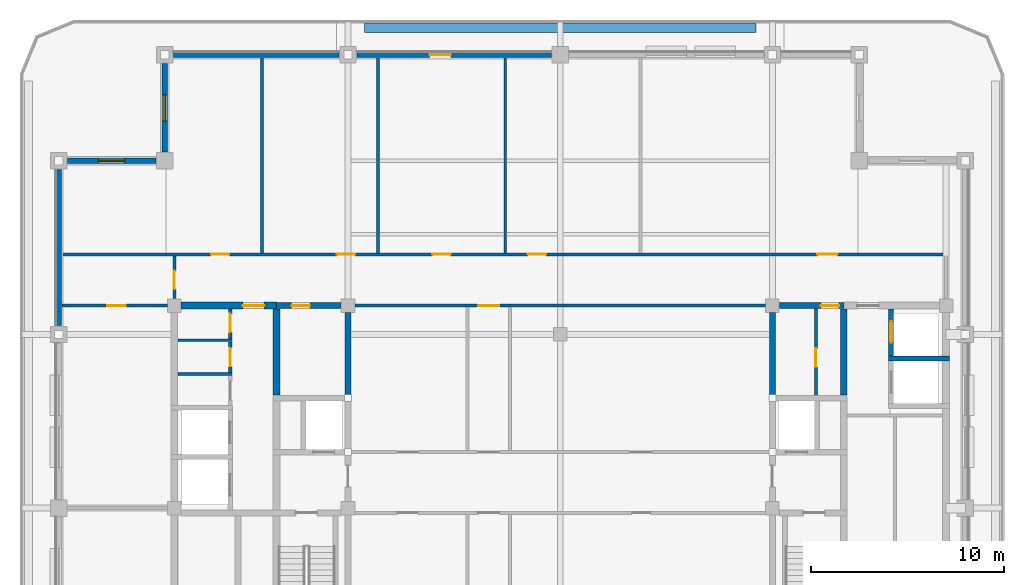
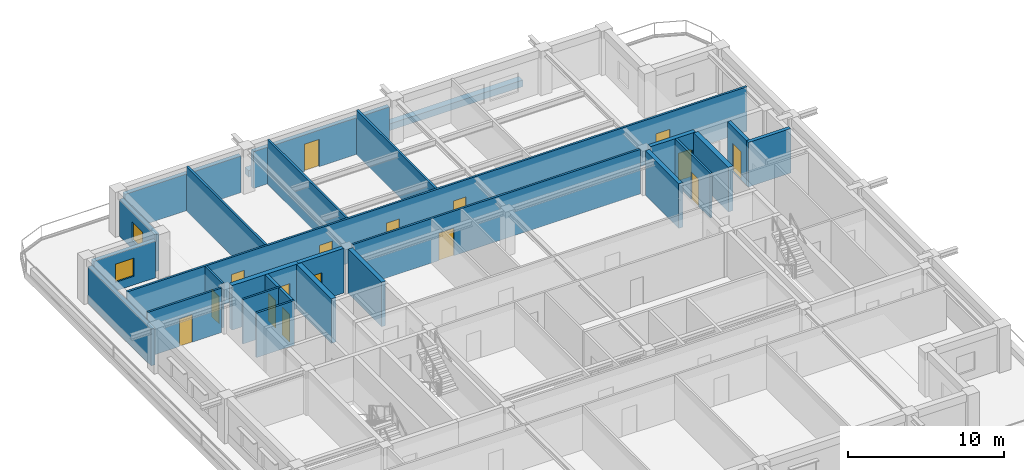
# One storey, part 5 of 11: 27 walls, 16 doors, 2 windows, 18 openings.
"""IFC4 building model written with IfcOpenShell, lengths in metres."""

from ifc_helpers import new_model, si_unit, direction, frame, frame_2d, origin, place, context, subcontext, project, spatial, rectangle, extrude, material, layer, layer_set, type_object, element, fill, save


model = new_model("IFC4")

# Units and contexts
model_context = context("Model", 3, precision=1e-05, world=origin(), true_north=direction((0.0, 1.0)))
body_context = subcontext(model_context, "Body", "Model", "MODEL_VIEW")
ifc_project = project(units=[si_unit("LENGTHUNIT", "METRE"), si_unit("AREAUNIT", "SQUARE_METRE"), si_unit("VOLUMEUNIT", "CUBIC_METRE"), si_unit("PLANEANGLEUNIT", "RADIAN"), si_unit("MASSUNIT", "GRAM", prefix="KILO")], contexts=[model_context])

# Site, building, storey
site_placement = place(None, origin())
site = spatial("IfcSite", under=ifc_project, at=site_placement, CompositionType="ELEMENT")
building_placement = place(site_placement, origin())
building = spatial("IfcBuilding", under=site, at=building_placement, Name="Zulmaris Gate Convention Tower", CompositionType="ELEMENT")
storey_placement = place(building_placement, frame((0.0, 0.0, 270.580078125)))
storey = spatial("IfcBuildingStorey", under=building, at=storey_placement, Name="L72", CompositionType="ELEMENT", Elevation=270.580078125)

# Wall
ifc_material_1 = material(Name="Concrete C50/60", Category="concrete")
ifc_layer_1 = layer(ifc_material_1, 0.25, Name="Concrete C50/60")
ifc_layer_set_1 = layer_set([ifc_layer_1], Name="Concrete C50/60")
wall_type_1 = type_object("IfcWallType", Name="CORE-250", PredefinedType="SOLIDWALL", material=ifc_layer_set_1)
wall_1_placement = place(storey_placement, frame((17.02490234375, 7.75, 0.0), z_axis=(0.0, 0.0, 1.0), x_axis=(1.0, 0.0, 0.0)))
element("IfcWall", 1, at=wall_1_placement, inside=storey, type_object=wall_type_1, Name="WL-L72-014", PredefinedType="SOLIDWALL", context=body_context, shape_type="SweptSolid", body=[
    extrude(rectangle(XDim=3.150146484375, YDim=0.25, at=frame_2d((1.5751953125, 0.0))), origin(), (0.0, 0.0, 1.0), 3.489990234375),
])

# Wall, opening, door
wall_2_placement = place(storey_placement, frame((17.14990234375, 7.876953125, 0.0), z_axis=(0.0, 0.0, 1.0), x_axis=(0.0, 1.0, 0.0)))
wall_2 = element("IfcWall", 2, at=wall_2_placement, inside=storey, type_object=wall_type_1, Name="WL-L72-061", PredefinedType="SOLIDWALL", context=body_context, shape_type="SweptSolid", body=[
    extrude(rectangle(XDim=2.446044921875, YDim=0.25, at=frame_2d((1.22314453125, 0.0))), origin(), (0.0, 0.0, 1.0), 3.489990234375),
])
opening_1_placement = place(wall_2_placement, frame((0.697998046875, 0.0, 0.0)))
opening_1 = element("IfcOpeningElement", 3, at=opening_1_placement, cuts=wall_2, Name="Opening D-06", PredefinedType="OPENING", context=body_context, shape_type="SweptSolid", body=[
    extrude(rectangle(XDim=1.10009765625, YDim=2.199951171875, at=frame_2d((0.550048828125, 1.10009765625))), frame((0.0, 0.135009765625, 0.0), z_axis=(0.0, -1.0, 0.0), x_axis=(1.0, 0.0, 0.0)), (0.0, 0.0, 1.0), 0.27001953125),
])
ifc_material_2 = material(Name="Brushed Stainless Steel", Category="steel")
door_type_1 = type_object("IfcDoorType", Name="LD-1100", OperationType="NOTDEFINED", PredefinedType="DOOR", material=ifc_material_2)
door_1_placement = place(opening_1_placement, origin())
door_1 = element("IfcDoor", 4, at=door_1_placement, inside=storey, type_object=door_type_1, Name="L72 Lift Landing Door HP-02 18", OperationType="SLIDING_TO_RIGHT", OverallHeight=2.199951171875, OverallWidth=1.10009765625, PredefinedType="DOOR", context=body_context, shape_type="SweptSolid", body=[
    extrude(rectangle(XDim=1.10009765625, YDim=2.199951171875, at=frame_2d((0.550048828125, 1.10009765625))), frame((0.0, 0.02490234375, 0.0), z_axis=(0.0, -1.0, 0.0), x_axis=(1.0, 0.0, 0.0)), (0.0, 0.0, 1.0), 0.050048828125),
])
fill(opening_1, door_1)

ifc_layer_2 = layer(ifc_material_1, 0.300048828125, Name="Concrete C50/60")
ifc_layer_set_2 = layer_set([ifc_layer_2], Name="Concrete C50/60")
wall_type_2 = type_object("IfcWallType", Name="CORE-300", PredefinedType="SHEAR", material=ifc_layer_set_2)
wall_3_placement = place(storey_placement, frame((-14.699951171875, 10.5, 0.0), z_axis=(0.0, 0.0, 1.0), x_axis=(1.0, 0.0, 0.0)))
wall_3 = element("IfcWall", 5, at=wall_3_placement, inside=storey, type_object=wall_type_2, Name="WL-L72-016", PredefinedType="SHEAR", context=body_context, shape_type="SweptSolid", body=[
    extrude(rectangle(XDim=3.345947265625, YDim=0.300048828125, at=frame_2d((1.6728515625, 0.0))), origin(), (0.0, 0.0, 1.0), 3.489990234375),
])
opening_2_placement = place(wall_3_placement, frame((0.77490234375, 0.0, 0.0)))
opening_2 = element("IfcOpeningElement", 6, at=opening_2_placement, cuts=wall_3, Name="Opening D-11", PredefinedType="OPENING", context=body_context, shape_type="SweptSolid", body=[
    extrude(rectangle(XDim=0.949951171875, YDim=2.14990234375, at=frame_2d((0.47509765625, 1.074951171875))), frame((0.0, 0.16015625, 0.0), z_axis=(0.0, -1.0, 0.0), x_axis=(1.0, 0.0, 0.0)), (0.0, 0.0, 1.0), 0.320068359375),
])
ifc_material_3 = material(Name="Fire-Rated Timber", Category="wood")
door_type_2 = type_object("IfcDoorType", Name="DR-950-FD", OperationType="NOTDEFINED", PredefinedType="DOOR", material=ifc_material_3)
door_2_placement = place(opening_2_placement, origin())
door_2 = element("IfcDoor", 7, at=door_2_placement, inside=storey, type_object=door_type_2, Name="L72 Core Archive Door 07", OperationType="SINGLE_SWING_LEFT", OverallHeight=2.14990234375, OverallWidth=0.949951171875, PredefinedType="DOOR", context=body_context, shape_type="SweptSolid", body=[
    extrude(rectangle(XDim=0.949951171875, YDim=2.14990234375, at=frame_2d((0.47509765625, 1.074951171875))), frame((0.0, 0.02490234375, 0.0), z_axis=(0.0, -1.0, 0.0), x_axis=(1.0, 0.0, 0.0)), (0.0, 0.0, 1.0), 0.050048828125),
])
fill(opening_2, door_2)

wall_4_placement = place(storey_placement, frame((11.35400390625, 10.5, 0.0), z_axis=(0.0, 0.0, 1.0), x_axis=(1.0, 0.0, 0.0)))
wall_4 = element("IfcWall", 8, at=wall_4_placement, inside=storey, type_object=wall_type_2, Name="WL-L72-017", PredefinedType="SHEAR", context=body_context, shape_type="SweptSolid", body=[
    extrude(rectangle(XDim=3.345947265625, YDim=0.300048828125, at=frame_2d((1.6728515625, 0.0))), origin(), (0.0, 0.0, 1.0), 3.489990234375),
])
opening_3_placement = place(wall_4_placement, frame((2.15087890625, 0.0, 0.0)))
opening_3 = element("IfcOpeningElement", 9, at=opening_3_placement, cuts=wall_4, Name="Opening D-11", PredefinedType="OPENING", context=body_context, shape_type="SweptSolid", body=[
    extrude(rectangle(XDim=0.949951171875, YDim=2.14990234375, at=frame_2d((0.47509765625, 1.074951171875))), frame((0.0, 0.16015625, 0.0), z_axis=(0.0, -1.0, 0.0), x_axis=(1.0, 0.0, 0.0)), (0.0, 0.0, 1.0), 0.320068359375),
])
door_3_placement = place(opening_3_placement, origin())
door_3 = element("IfcDoor", 10, at=door_3_placement, inside=storey, type_object=door_type_2, Name="L72 Core Linen Closet Door 08", OperationType="SINGLE_SWING_RIGHT", OverallHeight=2.14990234375, OverallWidth=0.949951171875, PredefinedType="DOOR", context=body_context, shape_type="SweptSolid", body=[
    extrude(rectangle(XDim=0.949951171875, YDim=2.14990234375, at=frame_2d((0.47509765625, 1.074951171875))), frame((0.0, 0.02490234375, 0.0), z_axis=(0.0, -1.0, 0.0), x_axis=(1.0, 0.0, 0.0)), (0.0, 0.0, 1.0), 0.050048828125),
])
fill(opening_3, door_3)

# Walls
for number, where, z_axis, x_axis, name in (
    (11, (-11.0, 5.85205078125, 0.0), (0.0, 0.0, 1.0), (0.0, 1.0, 0.0), "WL-L72-049"),
    (12, (11.0, 5.85205078125, 0.0), (0.0, 0.0, 1.0), (0.0, 1.0, 0.0), "WL-L72-053"),
):
    element("IfcWall", number, at=place(storey_placement, frame(where, z_axis=z_axis, x_axis=x_axis)), inside=storey, type_object=wall_type_2, Name=name, PredefinedType="SHEAR", context=body_context, shape_type="SweptSolid", body=[
        extrude(rectangle(XDim=4.2939453125, YDim=0.300048828125, at=frame_2d((2.14697265625, 0.0))), origin(), (0.0, 0.0, 1.0), 3.489990234375),
    ])

# Wall, opening, door
ifc_material_4 = material(Name="Concrete C55/67", Category="concrete")
ifc_layer_3 = layer(ifc_material_4, 0.35009765625, Name="Concrete C55/67")
ifc_layer_set_3 = layer_set([ifc_layer_3], Name="Concrete C55/67")
wall_type_3 = type_object("IfcWallType", Name="CORE-350", PredefinedType="SHEAR", material=ifc_layer_set_3)
wall_5_placement = place(storey_placement, frame((-19.64599609375, 10.5, 0.0), z_axis=(0.0, 0.0, 1.0), x_axis=(1.0, 0.0, 0.0)))
wall_5 = element("IfcWall", 13, at=wall_5_placement, inside=storey, type_object=wall_type_3, Name="WL-L72-015", PredefinedType="SHEAR", context=body_context, shape_type="SweptSolid", body=[
    extrude(rectangle(XDim=4.946044921875, YDim=0.35009765625, at=frame_2d((2.47314453125, 0.0))), origin(), (0.0, 0.0, 1.0), 3.489990234375),
])
opening_4_placement = place(wall_5_placement, frame((3.196044921875, 0.0, 0.0)))
opening_4 = element("IfcOpeningElement", 14, at=opening_4_placement, cuts=wall_5, Name="Opening D-08", PredefinedType="OPENING", context=body_context, shape_type="SweptSolid", body=[
    extrude(rectangle(XDim=1.10009765625, YDim=2.14990234375, at=frame_2d((0.550048828125, 1.074951171875))), frame((0.0, 0.18505859375, 0.0), z_axis=(0.0, -1.0, 0.0), x_axis=(1.0, 0.0, 0.0)), (0.0, 0.0, 1.0), 0.3701171875),
])
ifc_material_5 = material(Name="Fire-Rated Steel", Category="steel")
door_type_3 = type_object("IfcDoorType", Name="DR-1100-FD", OperationType="NOTDEFINED", PredefinedType="DOOR", material=ifc_material_5)
door_4_placement = place(opening_4_placement, origin())
door_4 = element("IfcDoor", 15, at=door_4_placement, inside=storey, type_object=door_type_3, Name="L72 High-Rise West Lift Lobby Door 13", OperationType="SINGLE_SWING_LEFT", OverallHeight=2.14990234375, OverallWidth=1.10009765625, PredefinedType="DOOR", context=body_context, shape_type="SweptSolid", body=[
    extrude(rectangle(XDim=1.10009765625, YDim=2.14990234375, at=frame_2d((0.550048828125, 1.074951171875))), frame((0.0, 0.02490234375, 0.0), z_axis=(0.0, -1.0, 0.0), x_axis=(1.0, 0.0, 0.0)), (0.0, 0.0, 1.0), 0.050048828125),
])
fill(opening_4, door_4)

# Walls
for number, where, z_axis, x_axis, name in (
    (16, (-14.699951171875, 5.85205078125, 0.0), (0.0, 0.0, 1.0), (0.0, 1.0, 0.0), "WL-L72-043"),
    (17, (14.699951171875, 5.85205078125, 0.0), (0.0, 0.0, 1.0), (0.0, 1.0, 0.0), "WL-L72-059"),
):
    element("IfcWall", number, at=place(storey_placement, frame(where, z_axis=z_axis, x_axis=x_axis)), inside=storey, type_object=wall_type_3, Name=name, PredefinedType="SHEAR", context=body_context, shape_type="SweptSolid", body=[
        extrude(rectangle(XDim=4.470947265625, YDim=0.35009765625, at=frame_2d((2.2353515625, 0.0))), origin(), (0.0, 0.0, 1.0), 3.489990234375),
    ])
ifc_material_6 = material(Name="Gypsum Metal Stud Partition")
ifc_layer_4 = layer(ifc_material_6, 0.14990234375, Name="Gypsum Metal Stud Partition")
ifc_layer_set_4 = layer_set([ifc_layer_4], Name="Gypsum Metal Stud Partition")
wall_type_4 = type_object("IfcWallType", Name="PART-150", PredefinedType="PARTITIONING", material=ifc_layer_set_4)
for number, where, z_axis, x_axis, name in (
    (18, (-19.822021484375, 6.949951171875, 0.0), (0.0, 0.0, 1.0), (1.0, 0.0, 0.0), "WL-L72-028"),
    (19, (-19.822021484375, 8.699951171875, 0.0), (0.0, 0.0, 1.0), (1.0, 0.0, 0.0), "WL-L72-029"),
):
    element("IfcWall", number, at=place(storey_placement, frame(where, z_axis=z_axis, x_axis=x_axis)), inside=storey, type_object=wall_type_4, Name=name, PredefinedType="PARTITIONING", context=body_context, shape_type="SweptSolid", body=[
        extrude(rectangle(XDim=2.822021484375, YDim=0.14990234375, at=frame_2d((1.4111328125, 0.0))), origin(), (0.0, 0.0, 1.0), 3.489990234375),
    ])

# Wall, opening, door
wall_6_placement = place(storey_placement, frame((-25.8349609375, 10.5, 0.0), z_axis=(0.0, 0.0, 1.0), x_axis=(1.0, 0.0, 0.0)))
wall_6 = element("IfcWall", 20, at=wall_6_placement, inside=storey, type_object=wall_type_4, Name="WL-L72-030", PredefinedType="PARTITIONING", context=body_context, shape_type="SweptSolid", body=[
    extrude(rectangle(XDim=5.47900390625, YDim=0.14990234375, at=frame_2d((2.739501953125, 0.0))), origin(), (0.0, 0.0, 1.0), 3.489990234375),
])
opening_5_placement = place(wall_6_placement, frame((2.360107421875, 0.0, 0.0)))
opening_5 = element("IfcOpeningElement", 21, at=opening_5_placement, cuts=wall_6, Name="Opening D-11", PredefinedType="OPENING", context=body_context, shape_type="SweptSolid", body=[
    extrude(rectangle(XDim=0.949951171875, YDim=2.14990234375, at=frame_2d((0.47509765625, 1.074951171875))), frame((0.0, 0.0849609375, 0.0), z_axis=(0.0, -1.0, 0.0), x_axis=(1.0, 0.0, 0.0)), (0.0, 0.0, 1.0), 0.169921875),
])
door_5_placement = place(opening_5_placement, origin())
door_5 = element("IfcDoor", 22, at=door_5_placement, inside=storey, type_object=door_type_2, Name="L72 NW Partner Door 46", OperationType="SINGLE_SWING_RIGHT", OverallHeight=2.14990234375, OverallWidth=0.949951171875, PredefinedType="DOOR", context=body_context, shape_type="SweptSolid", body=[
    extrude(rectangle(XDim=0.949951171875, YDim=2.14990234375, at=frame_2d((0.47509765625, 1.074951171875))), frame((0.0, 0.02490234375, 0.0), z_axis=(0.0, -1.0, 0.0), x_axis=(1.0, 0.0, 0.0)), (0.0, 0.0, 1.0), 0.050048828125),
])
fill(opening_5, door_5)

wall_7_placement = place(storey_placement, frame((-10.64404296875, 10.5, 0.0), z_axis=(0.0, 0.0, 1.0), x_axis=(1.0, 0.0, 0.0)))
wall_7 = element("IfcWall", 23, at=wall_7_placement, inside=storey, type_object=wall_type_4, Name="WL-L72-031", PredefinedType="PARTITIONING", context=body_context, shape_type="SweptSolid", body=[
    extrude(rectangle(XDim=21.2880859375, YDim=0.14990234375, at=frame_2d((10.64404296875, 0.0))), origin(), (0.0, 0.0, 1.0), 3.489990234375),
])
opening_6_placement = place(wall_7_placement, frame((6.39404296875, 0.0, 0.0)))
opening_6 = element("IfcOpeningElement", 24, at=opening_6_placement, cuts=wall_7, Name="Opening D-08", PredefinedType="OPENING", context=body_context, shape_type="SweptSolid", body=[
    extrude(rectangle(XDim=1.10009765625, YDim=2.14990234375, at=frame_2d((0.550048828125, 1.074951171875))), frame((0.0, 0.0849609375, 0.0), z_axis=(0.0, -1.0, 0.0), x_axis=(1.0, 0.0, 0.0)), (0.0, 0.0, 1.0), 0.169921875),
])
door_6_placement = place(opening_6_placement, origin())
door_6 = element("IfcDoor", 25, at=door_6_placement, inside=storey, type_object=door_type_3, Name="L72 Exec North Link Door 24", OperationType="SINGLE_SWING_RIGHT", OverallHeight=2.14990234375, OverallWidth=1.10009765625, PredefinedType="DOOR", context=body_context, shape_type="SweptSolid", body=[
    extrude(rectangle(XDim=1.10009765625, YDim=2.14990234375, at=frame_2d((0.550048828125, 1.074951171875))), frame((0.0, 0.02490234375, 0.0), z_axis=(0.0, -1.0, 0.0), x_axis=(1.0, 0.0, 0.0)), (0.0, 0.0, 1.0), 0.050048828125),
])
fill(opening_6, door_6)

# Wall, openings, doors
wall_8_placement = place(storey_placement, frame((-25.8349609375, 13.14990234375, 0.0), z_axis=(0.0, 0.0, 1.0), x_axis=(1.0, 0.0, 0.0)))
wall_8 = element("IfcWall", 26, at=wall_8_placement, inside=storey, type_object=wall_type_4, Name="WL-L72-032", PredefinedType="PARTITIONING", context=body_context, shape_type="SweptSolid", body=[
    extrude(rectangle(XDim=45.909912109375, YDim=0.14990234375, at=frame_2d((22.955078125, 0.0))), origin(), (0.0, 0.0, 1.0), 3.489990234375),
])
opening_7_placement = place(wall_8_placement, frame((7.739990234375, 0.0, 0.0)))
opening_7 = element("IfcOpeningElement", 27, at=opening_7_placement, cuts=wall_8, Name="Opening D-11", PredefinedType="OPENING", context=body_context, shape_type="SweptSolid", body=[
    extrude(rectangle(XDim=0.949951171875, YDim=2.14990234375, at=frame_2d((0.47509765625, 1.074951171875))), frame((0.0, 0.0849609375, 0.0), z_axis=(0.0, -1.0, 0.0), x_axis=(1.0, 0.0, 0.0)), (0.0, 0.0, 1.0), 0.169921875),
])
opening_8_placement = place(wall_8_placement, frame((14.260009765625, 0.0, 0.0)))
opening_8 = element("IfcOpeningElement", 28, at=opening_8_placement, cuts=wall_8, Name="Opening D-11", PredefinedType="OPENING", context=body_context, shape_type="SweptSolid", body=[
    extrude(rectangle(XDim=0.949951171875, YDim=2.14990234375, at=frame_2d((0.47509765625, 1.074951171875))), frame((0.0, 0.0849609375, 0.0), z_axis=(0.0, -1.0, 0.0), x_axis=(1.0, 0.0, 0.0)), (0.0, 0.0, 1.0), 0.169921875),
])
opening_9_placement = place(wall_8_placement, frame((19.2099609375, 0.0, 0.0)))
opening_9 = element("IfcOpeningElement", 29, at=opening_9_placement, cuts=wall_8, Name="Opening D-11", PredefinedType="OPENING", context=body_context, shape_type="SweptSolid", body=[
    extrude(rectangle(XDim=0.949951171875, YDim=2.14990234375, at=frame_2d((0.47509765625, 1.074951171875))), frame((0.0, 0.0849609375, 0.0), z_axis=(0.0, -1.0, 0.0), x_axis=(1.0, 0.0, 0.0)), (0.0, 0.0, 1.0), 0.169921875),
])
opening_10_placement = place(wall_8_placement, frame((24.159912109375, 0.0, 0.0)))
opening_10 = element("IfcOpeningElement", 30, at=opening_10_placement, cuts=wall_8, Name="Opening D-11", PredefinedType="OPENING", context=body_context, shape_type="SweptSolid", body=[
    extrude(rectangle(XDim=0.949951171875, YDim=2.14990234375, at=frame_2d((0.47509765625, 1.074951171875))), frame((0.0, 0.0849609375, 0.0), z_axis=(0.0, -1.0, 0.0), x_axis=(1.0, 0.0, 0.0)), (0.0, 0.0, 1.0), 0.169921875),
])
opening_11_placement = place(wall_8_placement, frame((39.159912109375, 0.0, 0.0)))
opening_11 = element("IfcOpeningElement", 31, at=opening_11_placement, cuts=wall_8, Name="Opening D-09", PredefinedType="OPENING", context=body_context, shape_type="SweptSolid", body=[
    extrude(rectangle(XDim=1.050048828125, YDim=2.14990234375, at=frame_2d((0.52490234375, 1.074951171875))), frame((0.0, 0.0849609375, 0.0), z_axis=(0.0, -1.0, 0.0), x_axis=(1.0, 0.0, 0.0)), (0.0, 0.0, 1.0), 0.169921875),
])
door_type_4 = type_object("IfcDoorType", Name="DR-1050-FD", OperationType="NOTDEFINED", PredefinedType="DOOR", material=ifc_material_5)
door_7_placement = place(opening_11_placement, origin())
door_7 = element("IfcDoor", 32, at=door_7_placement, inside=storey, type_object=door_type_4, Name="L72 Partner Corner Office Door 32", OperationType="SINGLE_SWING_RIGHT", OverallHeight=2.14990234375, OverallWidth=1.050048828125, PredefinedType="DOOR", context=body_context, shape_type="SweptSolid", body=[
    extrude(rectangle(XDim=1.050048828125, YDim=2.14990234375, at=frame_2d((0.52490234375, 1.074951171875))), frame((0.0, 0.02490234375, 0.0), z_axis=(0.0, -1.0, 0.0), x_axis=(1.0, 0.0, 0.0)), (0.0, 0.0, 1.0), 0.050048828125),
])
fill(opening_11, door_7)
door_8_placement = place(opening_7_placement, origin())
door_8 = element("IfcDoor", 33, at=door_8_placement, inside=storey, type_object=door_type_2, Name="L72 Partner Corner Office Door 28", OperationType="SINGLE_SWING_RIGHT", OverallHeight=2.14990234375, OverallWidth=0.949951171875, PredefinedType="DOOR", context=body_context, shape_type="SweptSolid", body=[
    extrude(rectangle(XDim=0.949951171875, YDim=2.14990234375, at=frame_2d((0.47509765625, 1.074951171875))), frame((0.0, 0.02490234375, 0.0), z_axis=(0.0, -1.0, 0.0), x_axis=(1.0, 0.0, 0.0)), (0.0, 0.0, 1.0), 0.050048828125),
])
fill(opening_7, door_8)
door_9_placement = place(opening_8_placement, origin())
door_9 = element("IfcDoor", 34, at=door_9_placement, inside=storey, type_object=door_type_2, Name="L72 Advisory Suite Office Door 29", OperationType="SINGLE_SWING_LEFT", OverallHeight=2.14990234375, OverallWidth=0.949951171875, PredefinedType="DOOR", context=body_context, shape_type="SweptSolid", body=[
    extrude(rectangle(XDim=0.949951171875, YDim=2.14990234375, at=frame_2d((0.47509765625, 1.074951171875))), frame((0.0, 0.02490234375, 0.0), z_axis=(0.0, -1.0, 0.0), x_axis=(1.0, 0.0, 0.0)), (0.0, 0.0, 1.0), 0.050048828125),
])
fill(opening_8, door_9)
door_10_placement = place(opening_9_placement, origin())
door_10 = element("IfcDoor", 35, at=door_10_placement, inside=storey, type_object=door_type_2, Name="L72 Open Plan Workplace Door 30", OperationType="SINGLE_SWING_RIGHT", OverallHeight=2.14990234375, OverallWidth=0.949951171875, PredefinedType="DOOR", context=body_context, shape_type="SweptSolid", body=[
    extrude(rectangle(XDim=0.949951171875, YDim=2.14990234375, at=frame_2d((0.47509765625, 1.074951171875))), frame((0.0, 0.02490234375, 0.0), z_axis=(0.0, -1.0, 0.0), x_axis=(1.0, 0.0, 0.0)), (0.0, 0.0, 1.0), 0.050048828125),
])
fill(opening_9, door_10)
door_11_placement = place(opening_10_placement, origin())
door_11 = element("IfcDoor", 36, at=door_11_placement, inside=storey, type_object=door_type_2, Name="L72 Executive Office Door 31", OperationType="SINGLE_SWING_LEFT", OverallHeight=2.14990234375, OverallWidth=0.949951171875, PredefinedType="DOOR", context=body_context, shape_type="SweptSolid", body=[
    extrude(rectangle(XDim=0.949951171875, YDim=2.14990234375, at=frame_2d((0.47509765625, 1.074951171875))), frame((0.0, 0.02490234375, 0.0), z_axis=(0.0, -1.0, 0.0), x_axis=(1.0, 0.0, 0.0)), (0.0, 0.0, 1.0), 0.050048828125),
])
fill(opening_10, door_11)

# Wall, opening, door
wall_9_placement = place(storey_placement, frame((-20.0, 10.85595703125, 0.0), z_axis=(0.0, 0.0, 1.0), x_axis=(0.0, 1.0, 0.0)))
wall_9 = element("IfcWall", 37, at=wall_9_placement, inside=storey, type_object=wall_type_4, Name="WL-L72-066", PredefinedType="PARTITIONING", context=body_context, shape_type="SweptSolid", body=[
    extrude(rectangle(XDim=2.216064453125, YDim=0.14990234375, at=frame_2d((1.10791015625, 0.0))), origin(), (0.0, 0.0, 1.0), 3.489990234375),
])
opening_12_placement = place(wall_9_placement, frame((0.489013671875, 0.0, 0.0)))
opening_12 = element("IfcOpeningElement", 38, at=opening_12_placement, cuts=wall_9, Name="Opening D-11", PredefinedType="OPENING", context=body_context, shape_type="SweptSolid", body=[
    extrude(rectangle(XDim=0.949951171875, YDim=2.14990234375, at=frame_2d((0.47509765625, 1.074951171875))), frame((0.0, 0.0849609375, 0.0), z_axis=(0.0, -1.0, 0.0), x_axis=(1.0, 0.0, 0.0)), (0.0, 0.0, 1.0), 0.169921875),
])
door_12_placement = place(opening_12_placement, origin())
door_12 = element("IfcDoor", 39, at=door_12_placement, inside=storey, type_object=door_type_2, Name="L72 NW Spur Door 44", OperationType="SINGLE_SWING_RIGHT", OverallHeight=2.14990234375, OverallWidth=0.949951171875, PredefinedType="DOOR", context=body_context, shape_type="SweptSolid", body=[
    extrude(rectangle(XDim=0.949951171875, YDim=2.14990234375, at=frame_2d((0.47509765625, 1.074951171875))), frame((0.0, 0.02490234375, 0.0), z_axis=(0.0, -1.0, 0.0), x_axis=(1.0, 0.0, 0.0)), (0.0, 0.0, 1.0), 0.050048828125),
])
fill(opening_12, door_12)

# Walls
for number, where, z_axis, x_axis, name in (
    (40, (-15.449951171875, 13.22802734375, 0.0), (0.0, 0.0, 1.0), (0.0, 1.0, 0.0), "WL-L72-070"),
    (41, (-9.449951171875, 13.22802734375, 0.0), (0.0, 0.0, 1.0), (0.0, 1.0, 0.0), "WL-L72-071"),
    (42, (-2.85009765625, 13.22802734375, 0.0), (0.0, 0.0, 1.0), (0.0, 1.0, 0.0), "WL-L72-075"),
):
    element("IfcWall", number, at=place(storey_placement, frame(where, z_axis=z_axis, x_axis=x_axis)), inside=storey, type_object=wall_type_4, Name=name, PredefinedType="PARTITIONING", context=body_context, shape_type="SweptSolid", body=[
        extrude(rectangle(XDim=10.10693359375, YDim=0.14990234375, at=frame_2d((5.053466796875, 0.0))), origin(), (0.0, 0.0, 1.0), 3.489990234375),
    ])

# Wall, opening, door
wall_10_placement = place(storey_placement, frame((13.25, 5.85302734375, 0.0), z_axis=(0.0, 0.0, 1.0), x_axis=(0.0, 1.0, 0.0)))
wall_10 = element("IfcWall", 43, at=wall_10_placement, inside=storey, type_object=wall_type_4, Name="WL-L72-084", PredefinedType="PARTITIONING", context=body_context, shape_type="SweptSolid", body=[
    extrude(rectangle(XDim=4.493896484375, YDim=0.14990234375, at=frame_2d((2.2470703125, 0.0))), origin(), (0.0, 0.0, 1.0), 3.489990234375),
])
opening_13_placement = place(wall_10_placement, frame((1.471923828125, 0.0, 0.0)))
opening_13 = element("IfcOpeningElement", 44, at=opening_13_placement, cuts=wall_10, Name="Opening D-11", PredefinedType="OPENING", context=body_context, shape_type="SweptSolid", body=[
    extrude(rectangle(XDim=0.949951171875, YDim=2.14990234375, at=frame_2d((0.47509765625, 1.074951171875))), frame((0.0, 0.0849609375, 0.0), z_axis=(0.0, -1.0, 0.0), x_axis=(1.0, 0.0, 0.0)), (0.0, 0.0, 1.0), 0.169921875),
])
door_13_placement = place(opening_13_placement, origin())
door_13 = element("IfcDoor", 45, at=door_13_placement, inside=storey, type_object=door_type_2, Name="L72 Core Service Pantry Door 09", OperationType="SINGLE_SWING_LEFT", OverallHeight=2.14990234375, OverallWidth=0.949951171875, PredefinedType="DOOR", context=body_context, shape_type="SweptSolid", body=[
    extrude(rectangle(XDim=0.949951171875, YDim=2.14990234375, at=frame_2d((0.47509765625, 1.074951171875))), frame((0.0, 0.02490234375, 0.0), z_axis=(0.0, -1.0, 0.0), x_axis=(1.0, 0.0, 0.0)), (0.0, 0.0, 1.0), 0.050048828125),
])
fill(opening_13, door_13)

ifc_material_7 = material(Name="Autoclaved Aerated Concrete Block and Plasterboard", Category="concrete")
ifc_layer_5 = layer(ifc_material_7, 0.199951171875, Name="Autoclaved Aerated Concrete Block and Plasterboard")
ifc_layer_set_5 = layer_set([ifc_layer_5], Name="Autoclaved Aerated Concrete Block and Plasterboard")
wall_type_5 = type_object("IfcWallType", Name="PART-200", PredefinedType="PARTITIONING", material=ifc_layer_set_5)
wall_11_placement = place(storey_placement, frame((-17.10009765625, 7.028076171875, 0.0), z_axis=(0.0, 0.0, 1.0), x_axis=(0.0, 1.0, 0.0)))
wall_11 = element("IfcWall", 46, at=wall_11_placement, inside=storey, type_object=wall_type_5, Name="WL-L72-068", PredefinedType="PARTITIONING", context=body_context, shape_type="SweptSolid", body=[
    extrude(rectangle(XDim=1.593994140625, YDim=0.199951171875, at=frame_2d((0.796875, 0.0))), origin(), (0.0, 0.0, 1.0), 3.489990234375),
])
opening_14_placement = place(wall_11_placement, frame((0.31689453125, 0.0, 0.0)))
opening_14 = element("IfcOpeningElement", 47, at=opening_14_placement, cuts=wall_11, Name="Opening D-11", PredefinedType="OPENING", context=body_context, shape_type="SweptSolid", body=[
    extrude(rectangle(XDim=0.949951171875, YDim=2.14990234375, at=frame_2d((0.47509765625, 1.074951171875))), frame((0.0, 0.10986328125, 0.0), z_axis=(0.0, -1.0, 0.0), x_axis=(1.0, 0.0, 0.0)), (0.0, 0.0, 1.0), 0.219970703125),
])
door_14_placement = place(opening_14_placement, origin())
door_14 = element("IfcDoor", 48, at=door_14_placement, inside=storey, type_object=door_type_2, Name="L72 Ice Pantry Door 15", OperationType="SINGLE_SWING_LEFT", OverallHeight=2.14990234375, OverallWidth=0.949951171875, PredefinedType="DOOR", context=body_context, shape_type="SweptSolid", body=[
    extrude(rectangle(XDim=0.949951171875, YDim=2.14990234375, at=frame_2d((0.47509765625, 1.074951171875))), frame((0.0, 0.02490234375, 0.0), z_axis=(0.0, -1.0, 0.0), x_axis=(1.0, 0.0, 0.0)), (0.0, 0.0, 1.0), 0.050048828125),
])
fill(opening_14, door_14)

wall_12_placement = place(storey_placement, frame((-17.10009765625, 8.778076171875, 0.0), z_axis=(0.0, 0.0, 1.0), x_axis=(0.0, 1.0, 0.0)))
wall_12 = element("IfcWall", 49, at=wall_12_placement, inside=storey, type_object=wall_type_5, Name="WL-L72-069", PredefinedType="PARTITIONING", context=body_context, shape_type="SweptSolid", body=[
    extrude(rectangle(XDim=1.5439453125, YDim=0.199951171875, at=frame_2d((0.77197265625, 0.0))), origin(), (0.0, 0.0, 1.0), 3.489990234375),
])
opening_15_placement = place(wall_12_placement, frame((0.346923828125, 0.0, 0.0)))
opening_15 = element("IfcOpeningElement", 50, at=opening_15_placement, cuts=wall_12, Name="Opening D-11", PredefinedType="OPENING", context=body_context, shape_type="SweptSolid", body=[
    extrude(rectangle(XDim=0.949951171875, YDim=2.14990234375, at=frame_2d((0.47509765625, 1.074951171875))), frame((0.0, 0.10986328125, 0.0), z_axis=(0.0, -1.0, 0.0), x_axis=(1.0, 0.0, 0.0)), (0.0, 0.0, 1.0), 0.219970703125),
])
door_15_placement = place(opening_15_placement, origin())
door_15 = element("IfcDoor", 51, at=door_15_placement, inside=storey, type_object=door_type_2, Name="L72 Housekeeping Door 14", OperationType="SINGLE_SWING_RIGHT", OverallHeight=2.14990234375, OverallWidth=0.949951171875, PredefinedType="DOOR", context=body_context, shape_type="SweptSolid", body=[
    extrude(rectangle(XDim=0.949951171875, YDim=2.14990234375, at=frame_2d((0.47509765625, 1.074951171875))), frame((0.0, 0.02490234375, 0.0), z_axis=(0.0, -1.0, 0.0), x_axis=(1.0, 0.0, 0.0)), (0.0, 0.0, 1.0), 0.050048828125),
])
fill(opening_15, door_15)

# Wall
ifc_material_8 = material(Name="Botanical Green Glazed Precast Concrete C40/50", Category="concrete")
ifc_layer_6 = layer(ifc_material_8, 0.419921875, Name="Botanical Green Glazed Precast Concrete C40/50")
ifc_layer_set_6 = layer_set([ifc_layer_6], Name="Botanical Green Glazed Precast Concrete C40/50")
wall_type_6 = type_object("IfcWallType", Name="PLANTER-CURB-200", PredefinedType="PARAPET", material=ifc_layer_set_6)
wall_13_placement = place(storey_placement, frame((-10.14990234375, 24.8798828125, -0.0400390625), z_axis=(0.0, 0.0, 1.0), x_axis=(1.0, 0.0, 0.0)))
element("IfcWall", 52, at=wall_13_placement, inside=storey, type_object=wall_type_6, Name="L72 Full-Length Balcony Tree Planter Trough", PredefinedType="PARAPET", context=body_context, shape_type="SweptSolid", body=[
    extrude(rectangle(XDim=20.2998046875, YDim=0.47998046875, at=frame_2d((10.14990234375, 0.0))), origin(), (0.0, 0.0, 1.0), 0.52001953125),
])

# Wall, opening, window
ifc_material_9 = material(Name="Precast concrete C40/50", Category="concrete")
ifc_layer_7 = layer(ifc_material_9, 0.300048828125, Name="Precast concrete C40/50")
ifc_layer_set_7 = layer_set([ifc_layer_7], Name="Precast concrete C40/50")
wall_type_7 = type_object("IfcWallType", Name="PRECAST-PIER-300", PredefinedType="STANDARD", material=ifc_layer_set_7)
wall_14_placement = place(storey_placement, frame((-20.5, 23.044921875, 0.0), z_axis=(0.0, 0.0, 1.0), x_axis=(0.0, -1.0, 0.0)))
wall_14 = element("IfcWall", 53, at=wall_14_placement, inside=storey, type_object=wall_type_7, Name="EW-L72-NOTCH-NW1_0", PredefinedType="STANDARD", context=body_context, shape_type="SweptSolid", body=[
    extrude(rectangle(XDim=4.58984375, YDim=0.300048828125, at=frame_2d((2.294921875, 0.0))), origin(), (0.0, 0.0, 1.0), 2.882080078125),
])
opening_16_placement = place(wall_14_placement, frame((1.6201171875, 0.0, 0.679931640625)))
opening_16 = element("IfcOpeningElement", 54, at=opening_16_placement, cuts=wall_14, Name="Opening W-10", PredefinedType="OPENING", context=body_context, shape_type="SweptSolid", body=[
    extrude(rectangle(XDim=1.35009765625, YDim=1.419921875, at=frame_2d((0.675048828125, 0.7099609375))), frame((0.0, 0.16015625, 0.0), z_axis=(0.0, -1.0, 0.0), x_axis=(1.0, 0.0, 0.0)), (0.0, 0.0, 1.0), 0.320068359375),
])
ifc_material_10 = material(Name="Low-E Laminated Double Glazing in Aluminium Frame", Category="aluminium")
window_type = type_object("IfcWindowType", Name="WIN-1350x2000", PartitioningType="SINGLE_PANEL", PredefinedType="WINDOW", material=ifc_material_10)
window_1_placement = place(opening_16_placement, origin())
window_1 = element("IfcWindow", 55, at=window_1_placement, inside=storey, type_object=window_type, Name="WN-EW-L72-NOTCH-NW1_0", OverallHeight=1.419921875, OverallWidth=1.35009765625, PartitioningType="SINGLE_PANEL", PredefinedType="WINDOW", context=body_context, shape_type="SweptSolid", body=[
    extrude(rectangle(XDim=1.35009765625, YDim=1.419921875, at=frame_2d((0.675048828125, 0.7099609375))), frame((0.0, 0.030029296875, 0.0), z_axis=(0.0, -1.0, 0.0), x_axis=(1.0, 0.0, 0.0)), (0.0, 0.0, 1.0), 0.06005859375),
])
fill(opening_16, window_1)

wall_15_placement = place(storey_placement, frame((-20.955078125, 18.0, 0.0), z_axis=(0.0, 0.0, 1.0), x_axis=(-1.0, 0.0, 0.0)))
wall_15 = element("IfcWall", 56, at=wall_15_placement, inside=storey, type_object=wall_type_7, Name="EW-L72-NOTCH-NW2_0", PredefinedType="STANDARD", context=body_context, shape_type="SweptSolid", body=[
    extrude(rectangle(XDim=4.58984375, YDim=0.300048828125, at=frame_2d((2.294921875, 0.0))), origin(), (0.0, 0.0, 1.0), 2.882080078125),
])
opening_17_placement = place(wall_15_placement, frame((1.6201171875, 0.0, 0.679931640625)))
opening_17 = element("IfcOpeningElement", 57, at=opening_17_placement, cuts=wall_15, Name="Opening W-10", PredefinedType="OPENING", context=body_context, shape_type="SweptSolid", body=[
    extrude(rectangle(XDim=1.35009765625, YDim=1.419921875, at=frame_2d((0.675048828125, 0.7099609375))), frame((0.0, 0.16015625, 0.0), z_axis=(0.0, -1.0, 0.0), x_axis=(1.0, 0.0, 0.0)), (0.0, 0.0, 1.0), 0.320068359375),
])
window_2_placement = place(opening_17_placement, origin())
window_2 = element("IfcWindow", 58, at=window_2_placement, inside=storey, type_object=window_type, Name="WN-EW-L72-NOTCH-NW2_0", OverallHeight=1.419921875, OverallWidth=1.35009765625, PartitioningType="SINGLE_PANEL", PredefinedType="WINDOW", context=body_context, shape_type="SweptSolid", body=[
    extrude(rectangle(XDim=1.35009765625, YDim=1.419921875, at=frame_2d((0.675048828125, 0.7099609375))), frame((0.0, 0.030029296875, 0.0), z_axis=(0.0, -1.0, 0.0), x_axis=(1.0, 0.0, 0.0)), (0.0, 0.0, 1.0), 0.06005859375),
])
fill(opening_17, window_2)

# Wall
wall_16_placement = place(storey_placement, frame((-11.455078125, 23.5, 0.0), z_axis=(0.0, 0.0, 1.0), x_axis=(-1.0, 0.0, 0.0)))
element("IfcWall", 59, at=wall_16_placement, inside=storey, type_object=wall_type_7, Name="EW-L72-N-0_0", PredefinedType="STANDARD", context=body_context, shape_type="SweptSolid", body=[
    extrude(rectangle(XDim=8.58984375, YDim=0.300048828125, at=frame_2d((4.294921875, 0.0))), origin(), (0.0, 0.0, 1.0), 2.882080078125),
])

# Wall, opening, door
wall_17_placement = place(storey_placement, frame((-0.455078125, 23.5, 0.0), z_axis=(0.0, 0.0, 1.0), x_axis=(-1.0, 0.0, 0.0)))
wall_17 = element("IfcWall", 60, at=wall_17_placement, inside=storey, type_object=wall_type_7, Name="EW-L72-N-1_0", PredefinedType="STANDARD", context=body_context, shape_type="SweptSolid", body=[
    extrude(rectangle(XDim=10.08984375, YDim=0.300048828125, at=frame_2d((5.044921875, 0.0))), origin(), (0.0, 0.0, 1.0), 2.882080078125),
])
opening_18_placement = place(wall_17_placement, frame((5.2109375, 0.0, 0.0)))
opening_18 = element("IfcOpeningElement", 61, at=opening_18_placement, cuts=wall_17, Name="Opening D-04", PredefinedType="OPENING", context=body_context, shape_type="SweptSolid", body=[
    extrude(rectangle(XDim=1.10009765625, YDim=2.14990234375, at=frame_2d((0.550048828125, 1.074951171875))), frame((0.0, 0.16015625, 0.0), z_axis=(0.0, -1.0, 0.0), x_axis=(1.0, 0.0, 0.0)), (0.0, 0.0, 1.0), 0.320068359375),
])
ifc_material_11 = material(Name="Anodised Aluminium and Laminated Glass", Category="aluminium")
door_type_5 = type_object("IfcDoorType", Name="ED-1100", OperationType="SINGLE_SWING_RIGHT", PredefinedType="DOOR", material=ifc_material_11)
door_16_placement = place(opening_18_placement, origin())
door_16 = element("IfcDoor", 62, at=door_16_placement, inside=storey, type_object=door_type_5, Name="L72 N Planted Terrace Door", OperationType="SINGLE_SWING_LEFT", OverallHeight=2.14990234375, OverallWidth=1.10009765625, PredefinedType="DOOR", context=body_context, shape_type="SweptSolid", body=[
    extrude(rectangle(XDim=1.10009765625, YDim=2.14990234375, at=frame_2d((0.550048828125, 1.074951171875))), frame((0.0, 0.02490234375, 0.0), z_axis=(0.0, -1.0, 0.0), x_axis=(1.0, 0.0, 0.0)), (0.0, 0.0, 1.0), 0.050048828125),
])
fill(opening_18, door_16)

# Wall
wall_18_placement = place(storey_placement, frame((-26.0, 17.544921875, 0.0), z_axis=(0.0, 0.0, 1.0), x_axis=(0.0, -1.0, 0.0)))
element("IfcWall", 63, at=wall_18_placement, inside=storey, type_object=wall_type_7, Name="EW-L72-W-3_0", PredefinedType="STANDARD", context=body_context, shape_type="SweptSolid", body=[
    extrude(rectangle(XDim=8.08984375, YDim=0.300048828125, at=frame_2d((4.044921875, 0.0))), origin(), (0.0, 0.0, 1.0), 2.882080078125),
])

save(model, "model.ifc")
